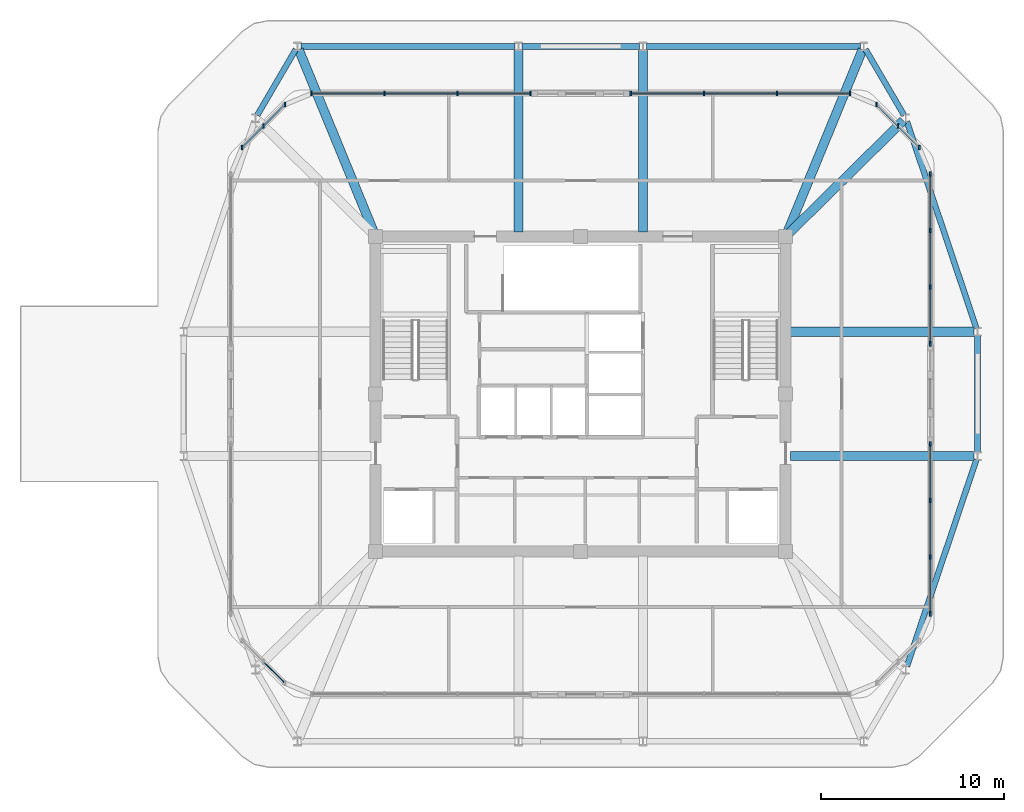
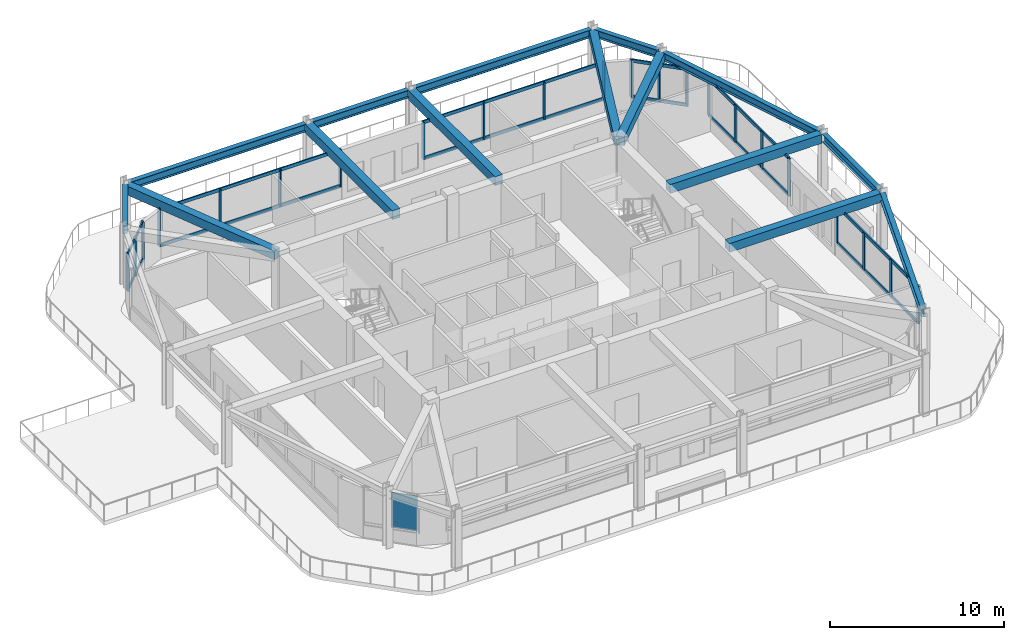
# One storey, part 3 of 10: 34 members, 15 beams, 1 plate, 7 elements without a shape of their own.
"""IFC4 building model written with IfcOpenShell, lengths in metres."""

from ifc_helpers import new_model, si_unit, derived_unit, direction, frame, origin, origin_2d, place, context, subcontext, project, spatial, rectangle, i_section, extrude, material, layer, layer_set, material_profile, profile_set, type_object, element, aggregate, save


model = new_model("IFC4")

# Units and contexts
model_context = context("Model", 3, precision=1e-05, world=origin(), true_north=direction((0.0, 1.0)))
body_context = subcontext(model_context, "Body", "Model", "MODEL_VIEW")
ifc_project = project(units=[si_unit("LENGTHUNIT", "METRE"), si_unit("AREAUNIT", "SQUARE_METRE"), si_unit("VOLUMEUNIT", "CUBIC_METRE"), si_unit("PLANEANGLEUNIT", "RADIAN"), si_unit("MASSUNIT", "GRAM", prefix="KILO"), derived_unit("THERMALTRANSMITTANCEUNIT", [(si_unit("POWERUNIT", "WATT"), 1), (si_unit("LENGTHUNIT", "METRE"), -2), (si_unit("THERMODYNAMICTEMPERATUREUNIT", "KELVIN"), -1)])], contexts=[model_context])

# Site, building, storey
site_placement = place(None, origin())
site = spatial("IfcSite", under=ifc_project, at=site_placement, CompositionType="ELEMENT")
building_placement = place(site_placement, origin())
building = spatial("IfcBuilding", under=site, at=building_placement, Name="Koralith Skygarden Medical Center", CompositionType="ELEMENT")
storey_placement = place(building_placement, frame((0.0, 0.0, 294.659912109375)))
storey = spatial("IfcBuildingStorey", under=building, at=storey_placement, Name="L76", CompositionType="ELEMENT", Elevation=294.659912109375)

# Curtain wall, members
ifc_material_1 = material(Name="Clear Laminated Glass", Category="glass")
curtain_wall_type = type_object("IfcCurtainWallType", Name="CW-8 Crown Lookout Low-Iron Curtain Wall", PredefinedType="NOTDEFINED", material=ifc_material_1)
curtain_wall_1_placement = place(storey_placement, origin())
curtain_wall_1 = element("IfcCurtainWall", 1, at=curtain_wall_1_placement, inside=storey, type_object=curtain_wall_type, Name="Curtain Wall CW-L76-E-L", PredefinedType="NOTDEFINED")
ifc_material_2 = material(Name="Aluminium 6063-T6", Category="aluminium")
ifc_material_profile_1 = material_profile(ifc_material_2, rectangle(XDim=0.089111328125, YDim=0.25, at=origin_2d()), Name="MUL89X250")
ifc_profile_set_1 = profile_set([ifc_material_profile_1], Name="Aluminium 6063-T6")
member_type_1 = type_object("IfcMemberType", Name="CW-8 Extruded Mullion 89x250", PredefinedType="MULLION", material=ifc_profile_set_1)
member_1_placement = place(storey_placement, frame((56.10009765625, 13.89306640625, 0.85009765625), z_axis=(0.0, 0.0, 1.0), x_axis=(1.0, 0.0, 0.0)))
member_1 = element("IfcMember", 2, at=member_1_placement, type_object=member_type_1, Name="CW-L76-E-L Mullion 1", PredefinedType="MULLION", context=body_context, shape_type="SweptSolid", body=[
    extrude(rectangle(XDim=0.089111328125, YDim=0.25, at=origin_2d()), origin(), (0.0, 0.0, 1.0), 2.610107421875),
])
member_2_placement = place(storey_placement, frame((56.10009765625, 16.98193359375, 0.85009765625), z_axis=(0.0, 0.0, 1.0), x_axis=(1.0, 0.0, 0.0)))
member_2 = element("IfcMember", 3, at=member_2_placement, type_object=member_type_1, Name="CW-L76-E-L Mullion 2", PredefinedType="MULLION", context=body_context, shape_type="SweptSolid", body=[
    extrude(rectangle(XDim=0.089111328125, YDim=0.25, at=origin_2d()), origin(), (0.0, 0.0, 1.0), 2.610107421875),
])
member_3_placement = place(storey_placement, frame((56.10009765625, 20.071044921875, 0.85009765625), z_axis=(0.0, 0.0, 1.0), x_axis=(1.0, 0.0, 0.0)))
member_3 = element("IfcMember", 4, at=member_3_placement, type_object=member_type_1, Name="CW-L76-E-L Mullion 3", PredefinedType="MULLION", context=body_context, shape_type="SweptSolid", body=[
    extrude(rectangle(XDim=0.089111328125, YDim=0.25, at=origin_2d()), origin(), (0.0, 0.0, 1.0), 2.610107421875),
])
member_4_placement = place(storey_placement, frame((56.10009765625, 23.159912109375, 0.85009765625), z_axis=(0.0, 0.0, 1.0), x_axis=(1.0, 0.0, 0.0)))
member_4 = element("IfcMember", 5, at=member_4_placement, type_object=member_type_1, Name="CW-L76-E-L Mullion 4", PredefinedType="MULLION", context=body_context, shape_type="SweptSolid", body=[
    extrude(rectangle(XDim=0.089111328125, YDim=0.25, at=origin_2d()), origin(), (0.0, 0.0, 1.0), 2.610107421875),
])

curtain_wall_2_placement = place(storey_placement, origin())
curtain_wall_2 = element("IfcCurtainWall", 6, at=curtain_wall_2_placement, inside=storey, type_object=curtain_wall_type, Name="Curtain Wall CW-L76-E-R", PredefinedType="NOTDEFINED")
member_5_placement = place(storey_placement, frame((56.10009765625, 28.639892578125, 0.85009765625), z_axis=(0.0, 0.0, 1.0), x_axis=(1.0, 0.0, 0.0)))
member_5 = element("IfcMember", 7, at=member_5_placement, type_object=member_type_1, Name="CW-L76-E-R Mullion 1", PredefinedType="MULLION", context=body_context, shape_type="SweptSolid", body=[
    extrude(rectangle(XDim=0.089111328125, YDim=0.25, at=origin_2d()), origin(), (0.0, 0.0, 1.0), 2.610107421875),
])
member_6_placement = place(storey_placement, frame((56.10009765625, 31.72900390625, 0.85009765625), z_axis=(0.0, 0.0, 1.0), x_axis=(1.0, 0.0, 0.0)))
member_6 = element("IfcMember", 8, at=member_6_placement, type_object=member_type_1, Name="CW-L76-E-R Mullion 2", PredefinedType="MULLION", context=body_context, shape_type="SweptSolid", body=[
    extrude(rectangle(XDim=0.089111328125, YDim=0.25, at=origin_2d()), origin(), (0.0, 0.0, 1.0), 2.610107421875),
])
member_7_placement = place(storey_placement, frame((56.10009765625, 34.818115234375, 0.85009765625), z_axis=(0.0, 0.0, 1.0), x_axis=(1.0, 0.0, 0.0)))
member_7 = element("IfcMember", 9, at=member_7_placement, type_object=member_type_1, Name="CW-L76-E-R Mullion 3", PredefinedType="MULLION", context=body_context, shape_type="SweptSolid", body=[
    extrude(rectangle(XDim=0.089111328125, YDim=0.25, at=origin_2d()), origin(), (0.0, 0.0, 1.0), 2.610107421875),
])
member_8_placement = place(storey_placement, frame((56.10009765625, 37.906982421875, 0.85009765625), z_axis=(0.0, 0.0, 1.0), x_axis=(1.0, 0.0, 0.0)))
member_8 = element("IfcMember", 10, at=member_8_placement, type_object=member_type_1, Name="CW-L76-E-R Mullion 4", PredefinedType="MULLION", context=body_context, shape_type="SweptSolid", body=[
    extrude(rectangle(XDim=0.089111328125, YDim=0.25, at=origin_2d()), origin(), (0.0, 0.0, 1.0), 2.610107421875),
])

curtain_wall_3_placement = place(storey_placement, origin())
curtain_wall_3 = element("IfcCurtainWall", 11, at=curtain_wall_3_placement, inside=storey, type_object=curtain_wall_type, Name="Curtain Wall CW-L76-NE", PredefinedType="NOTDEFINED")
member_9_placement = place(storey_placement, frame((55.4990234375, 39.35791015625, 0.85009765625), z_axis=(0.0, 0.0, 1.0), x_axis=(1.0, 0.0, 0.0)))
member_9 = element("IfcMember", 12, at=member_9_placement, type_object=member_type_1, Name="CW-L76-NE Mullion 1", PredefinedType="MULLION", context=body_context, shape_type="SweptSolid", body=[
    extrude(rectangle(XDim=0.089111328125, YDim=0.25, at=origin_2d()), origin(), (0.0, 0.0, 1.0), 2.610107421875),
])
member_10_placement = place(storey_placement, frame((54.3291015625, 40.528076171875, 0.85009765625), z_axis=(0.0, 0.0, 1.0), x_axis=(1.0, 0.0, 0.0)))
member_10 = element("IfcMember", 13, at=member_10_placement, type_object=member_type_1, Name="CW-L76-NE Mullion 2", PredefinedType="MULLION", context=body_context, shape_type="SweptSolid", body=[
    extrude(rectangle(XDim=0.089111328125, YDim=0.25, at=origin_2d()), origin(), (0.0, 0.0, 1.0), 2.610107421875),
])
member_11_placement = place(storey_placement, frame((53.157958984375, 41.698974609375, 0.85009765625), z_axis=(0.0, 0.0, 1.0), x_axis=(1.0, 0.0, 0.0)))
member_11 = element("IfcMember", 14, at=member_11_placement, type_object=member_type_1, Name="CW-L76-NE Mullion 3", PredefinedType="MULLION", context=body_context, shape_type="SweptSolid", body=[
    extrude(rectangle(XDim=0.089111328125, YDim=0.25, at=origin_2d()), origin(), (0.0, 0.0, 1.0), 2.610107421875),
])

curtain_wall_4_placement = place(storey_placement, origin())
curtain_wall_4 = element("IfcCurtainWall", 15, at=curtain_wall_4_placement, inside=storey, type_object=curtain_wall_type, Name="Curtain Wall CW-L76-N-L", PredefinedType="NOTDEFINED")
member_12_placement = place(storey_placement, frame((51.70703125, 42.300048828125, 0.85009765625), z_axis=(0.0, 0.0, 1.0), x_axis=(1.0, 0.0, 0.0)))
member_12 = element("IfcMember", 16, at=member_12_placement, type_object=member_type_1, Name="CW-L76-N-L Mullion 1", PredefinedType="MULLION", context=body_context, shape_type="SweptSolid", body=[
    extrude(rectangle(XDim=0.089111328125, YDim=0.25, at=origin_2d()), origin(), (0.0, 0.0, 1.0), 2.610107421875),
])
member_13_placement = place(storey_placement, frame((47.718017578125, 42.300048828125, 0.85009765625), z_axis=(0.0, 0.0, 1.0), x_axis=(1.0, 0.0, 0.0)))
member_13 = element("IfcMember", 17, at=member_13_placement, type_object=member_type_1, Name="CW-L76-N-L Mullion 2", PredefinedType="MULLION", context=body_context, shape_type="SweptSolid", body=[
    extrude(rectangle(XDim=0.089111328125, YDim=0.25, at=origin_2d()), origin(), (0.0, 0.0, 1.0), 2.610107421875),
])
member_14_placement = place(storey_placement, frame((43.72900390625, 42.300048828125, 0.85009765625), z_axis=(0.0, 0.0, 1.0), x_axis=(1.0, 0.0, 0.0)))
member_14 = element("IfcMember", 18, at=member_14_placement, type_object=member_type_1, Name="CW-L76-N-L Mullion 3", PredefinedType="MULLION", context=body_context, shape_type="SweptSolid", body=[
    extrude(rectangle(XDim=0.089111328125, YDim=0.25, at=origin_2d()), origin(), (0.0, 0.0, 1.0), 2.610107421875),
])
member_15_placement = place(storey_placement, frame((39.739990234375, 42.300048828125, 0.85009765625), z_axis=(0.0, 0.0, 1.0), x_axis=(1.0, 0.0, 0.0)))
member_15 = element("IfcMember", 19, at=member_15_placement, type_object=member_type_1, Name="CW-L76-N-L Mullion 4", PredefinedType="MULLION", context=body_context, shape_type="SweptSolid", body=[
    extrude(rectangle(XDim=0.089111328125, YDim=0.25, at=origin_2d()), origin(), (0.0, 0.0, 1.0), 2.610107421875),
])

curtain_wall_5_placement = place(storey_placement, origin())
curtain_wall_5 = element("IfcCurtainWall", 20, at=curtain_wall_5_placement, inside=storey, type_object=curtain_wall_type, Name="Curtain Wall CW-L76-N-R", PredefinedType="NOTDEFINED")
member_16_placement = place(storey_placement, frame((34.260009765625, 42.300048828125, 0.85009765625), z_axis=(0.0, 0.0, 1.0), x_axis=(1.0, 0.0, 0.0)))
member_16 = element("IfcMember", 21, at=member_16_placement, type_object=member_type_1, Name="CW-L76-N-R Mullion 1", PredefinedType="MULLION", context=body_context, shape_type="SweptSolid", body=[
    extrude(rectangle(XDim=0.089111328125, YDim=0.25, at=origin_2d()), origin(), (0.0, 0.0, 1.0), 2.610107421875),
])
member_17_placement = place(storey_placement, frame((30.27099609375, 42.300048828125, 0.85009765625), z_axis=(0.0, 0.0, 1.0), x_axis=(1.0, 0.0, 0.0)))
member_17 = element("IfcMember", 22, at=member_17_placement, type_object=member_type_1, Name="CW-L76-N-R Mullion 2", PredefinedType="MULLION", context=body_context, shape_type="SweptSolid", body=[
    extrude(rectangle(XDim=0.089111328125, YDim=0.25, at=origin_2d()), origin(), (0.0, 0.0, 1.0), 2.610107421875),
])
member_18_placement = place(storey_placement, frame((26.281982421875, 42.300048828125, 0.85009765625), z_axis=(0.0, 0.0, 1.0), x_axis=(1.0, 0.0, 0.0)))
member_18 = element("IfcMember", 23, at=member_18_placement, type_object=member_type_1, Name="CW-L76-N-R Mullion 3", PredefinedType="MULLION", context=body_context, shape_type="SweptSolid", body=[
    extrude(rectangle(XDim=0.089111328125, YDim=0.25, at=origin_2d()), origin(), (0.0, 0.0, 1.0), 2.610107421875),
])
member_19_placement = place(storey_placement, frame((22.29296875, 42.300048828125, 0.85009765625), z_axis=(0.0, 0.0, 1.0), x_axis=(1.0, 0.0, 0.0)))
member_19 = element("IfcMember", 24, at=member_19_placement, type_object=member_type_1, Name="CW-L76-N-R Mullion 4", PredefinedType="MULLION", context=body_context, shape_type="SweptSolid", body=[
    extrude(rectangle(XDim=0.089111328125, YDim=0.25, at=origin_2d()), origin(), (0.0, 0.0, 1.0), 2.610107421875),
])

curtain_wall_6_placement = place(storey_placement, origin())
curtain_wall_6 = element("IfcCurtainWall", 25, at=curtain_wall_6_placement, inside=storey, type_object=curtain_wall_type, Name="Curtain Wall CW-L76-NW", PredefinedType="NOTDEFINED")
member_20_placement = place(storey_placement, frame((20.842041015625, 41.698974609375, 0.85009765625), z_axis=(0.0, 0.0, 1.0), x_axis=(1.0, 0.0, 0.0)))
member_20 = element("IfcMember", 26, at=member_20_placement, type_object=member_type_1, Name="CW-L76-NW Mullion 1", PredefinedType="MULLION", context=body_context, shape_type="SweptSolid", body=[
    extrude(rectangle(XDim=0.089111328125, YDim=0.25, at=origin_2d()), origin(), (0.0, 0.0, 1.0), 2.610107421875),
])
member_21_placement = place(storey_placement, frame((19.672119140625, 40.528076171875, 0.85009765625), z_axis=(0.0, 0.0, 1.0), x_axis=(1.0, 0.0, 0.0)))
member_21 = element("IfcMember", 27, at=member_21_placement, type_object=member_type_1, Name="CW-L76-NW Mullion 2", PredefinedType="MULLION", context=body_context, shape_type="SweptSolid", body=[
    extrude(rectangle(XDim=0.089111328125, YDim=0.25, at=origin_2d()), origin(), (0.0, 0.0, 1.0), 2.610107421875),
])
member_22_placement = place(storey_placement, frame((18.5009765625, 39.35791015625, 0.85009765625), z_axis=(0.0, 0.0, 1.0), x_axis=(1.0, 0.0, 0.0)))
member_22 = element("IfcMember", 28, at=member_22_placement, type_object=member_type_1, Name="CW-L76-NW Mullion 3", PredefinedType="MULLION", context=body_context, shape_type="SweptSolid", body=[
    extrude(rectangle(XDim=0.089111328125, YDim=0.25, at=origin_2d()), origin(), (0.0, 0.0, 1.0), 2.610107421875),
])

# Member
ifc_material_profile_2 = material_profile(ifc_material_2, rectangle(XDim=0.083984375, YDim=0.22509765625, at=origin_2d()), Name="TRN84X225")
ifc_profile_set_2 = profile_set([ifc_material_profile_2], Name="Aluminium 6063-T6")
member_type_2 = type_object("IfcMemberType", Name="CW-8 Thermal Transom 84x225", PredefinedType="USERDEFINED", material=ifc_profile_set_2)
member_23_placement = place(storey_placement, frame((56.10009765625, 13.89306640625, 0.900146484375), z_axis=(0.0, 1.0, 0.0), x_axis=(-1.0, 0.0, 0.0)))
member_23 = element("IfcMember", 29, at=member_23_placement, type_object=member_type_2, Name="CW-L76-E-L Transom 1", ObjectType="TRANSOM", PredefinedType="USERDEFINED", context=body_context, shape_type="SweptSolid", body=[
    extrude(rectangle(XDim=0.083984375, YDim=0.22509765625, at=origin_2d()), origin(), (0.0, 0.0, 1.0), 9.266845703125),
])

member_24_placement = place(storey_placement, frame((56.10009765625, 13.89306640625, 3.41015625), z_axis=(0.0, 1.0, 0.0), x_axis=(-1.0, 0.0, 0.0)))
member_24 = element("IfcMember", 30, at=member_24_placement, type_object=member_type_2, Name="CW-L76-E-L Transom 2", ObjectType="TRANSOM", PredefinedType="USERDEFINED", context=body_context, shape_type="SweptSolid", body=[
    extrude(rectangle(XDim=0.083984375, YDim=0.22509765625, at=origin_2d()), origin(), (0.0, 0.0, 1.0), 9.266845703125),
])

aggregate(curtain_wall_1, [member_1, member_2, member_3, member_4, member_23, member_24])

member_25_placement = place(storey_placement, frame((56.10009765625, 28.639892578125, 0.900146484375), z_axis=(0.0, 1.0, 0.0), x_axis=(-1.0, 0.0, 0.0)))
member_25 = element("IfcMember", 31, at=member_25_placement, type_object=member_type_2, Name="CW-L76-E-R Transom 1", ObjectType="TRANSOM", PredefinedType="USERDEFINED", context=body_context, shape_type="SweptSolid", body=[
    extrude(rectangle(XDim=0.083984375, YDim=0.22509765625, at=origin_2d()), origin(), (0.0, 0.0, 1.0), 9.26708984375),
])

member_26_placement = place(storey_placement, frame((56.10009765625, 28.639892578125, 3.41015625), z_axis=(0.0, 1.0, 0.0), x_axis=(-1.0, 0.0, 0.0)))
member_26 = element("IfcMember", 32, at=member_26_placement, type_object=member_type_2, Name="CW-L76-E-R Transom 2", ObjectType="TRANSOM", PredefinedType="USERDEFINED", context=body_context, shape_type="SweptSolid", body=[
    extrude(rectangle(XDim=0.083984375, YDim=0.22509765625, at=origin_2d()), origin(), (0.0, 0.0, 1.0), 9.26708984375),
])

aggregate(curtain_wall_2, [member_5, member_6, member_7, member_8, member_25, member_26])

member_27_placement = place(storey_placement, frame((55.4990234375, 39.35791015625, 0.900146484375), z_axis=(-0.707106781187, 0.707106781187, 0.0), x_axis=(-0.707106781187, -0.707106781187, 0.0)))
member_27 = element("IfcMember", 33, at=member_27_placement, type_object=member_type_2, Name="CW-L76-NE Transom 1", ObjectType="TRANSOM", PredefinedType="USERDEFINED", context=body_context, shape_type="SweptSolid", body=[
    extrude(rectangle(XDim=0.083984375, YDim=0.22509765625, at=origin_2d()), origin(), (0.0, 0.0, 1.0), 3.310791015625),
])

member_28_placement = place(storey_placement, frame((55.4990234375, 39.35791015625, 3.41015625), z_axis=(-0.707106781187, 0.707106781187, 0.0), x_axis=(-0.707106781187, -0.707106781187, 0.0)))
member_28 = element("IfcMember", 34, at=member_28_placement, type_object=member_type_2, Name="CW-L76-NE Transom 2", ObjectType="TRANSOM", PredefinedType="USERDEFINED", context=body_context, shape_type="SweptSolid", body=[
    extrude(rectangle(XDim=0.083984375, YDim=0.22509765625, at=origin_2d()), origin(), (0.0, 0.0, 1.0), 3.310791015625),
])

aggregate(curtain_wall_3, [member_9, member_10, member_11, member_27, member_28])

member_29_placement = place(storey_placement, frame((51.70703125, 42.300048828125, 0.900146484375), z_axis=(-1.0, 0.0, 0.0), x_axis=(0.0, -1.0, 0.0)))
member_29 = element("IfcMember", 35, at=member_29_placement, type_object=member_type_2, Name="CW-L76-N-L Transom 1", ObjectType="TRANSOM", PredefinedType="USERDEFINED", context=body_context, shape_type="SweptSolid", body=[
    extrude(rectangle(XDim=0.083984375, YDim=0.22509765625, at=origin_2d()), origin(), (0.0, 0.0, 1.0), 11.967041015625),
])

member_30_placement = place(storey_placement, frame((51.70703125, 42.300048828125, 3.41015625), z_axis=(-1.0, 0.0, 0.0), x_axis=(0.0, -1.0, 0.0)))
member_30 = element("IfcMember", 36, at=member_30_placement, type_object=member_type_2, Name="CW-L76-N-L Transom 2", ObjectType="TRANSOM", PredefinedType="USERDEFINED", context=body_context, shape_type="SweptSolid", body=[
    extrude(rectangle(XDim=0.083984375, YDim=0.22509765625, at=origin_2d()), origin(), (0.0, 0.0, 1.0), 11.967041015625),
])

aggregate(curtain_wall_4, [member_12, member_13, member_14, member_15, member_29, member_30])

member_31_placement = place(storey_placement, frame((34.260009765625, 42.300048828125, 0.900146484375), z_axis=(-1.0, 0.0, 0.0), x_axis=(0.0, -1.0, 0.0)))
member_31 = element("IfcMember", 37, at=member_31_placement, type_object=member_type_2, Name="CW-L76-N-R Transom 1", ObjectType="TRANSOM", PredefinedType="USERDEFINED", context=body_context, shape_type="SweptSolid", body=[
    extrude(rectangle(XDim=0.083984375, YDim=0.22509765625, at=origin_2d()), origin(), (0.0, 0.0, 1.0), 11.967041015625),
])

member_32_placement = place(storey_placement, frame((34.260009765625, 42.300048828125, 3.41015625), z_axis=(-1.0, 0.0, 0.0), x_axis=(0.0, -1.0, 0.0)))
member_32 = element("IfcMember", 38, at=member_32_placement, type_object=member_type_2, Name="CW-L76-N-R Transom 2", ObjectType="TRANSOM", PredefinedType="USERDEFINED", context=body_context, shape_type="SweptSolid", body=[
    extrude(rectangle(XDim=0.083984375, YDim=0.22509765625, at=origin_2d()), origin(), (0.0, 0.0, 1.0), 11.967041015625),
])

aggregate(curtain_wall_5, [member_16, member_17, member_18, member_19, member_31, member_32])

member_33_placement = place(storey_placement, frame((20.842041015625, 41.698974609375, 0.900146484375), z_axis=(-0.707106781187, -0.707106781187, 0.0), x_axis=(0.707106781187, -0.707106781187, 0.0)))
member_33 = element("IfcMember", 39, at=member_33_placement, type_object=member_type_2, Name="CW-L76-NW Transom 1", ObjectType="TRANSOM", PredefinedType="USERDEFINED", context=body_context, shape_type="SweptSolid", body=[
    extrude(rectangle(XDim=0.083984375, YDim=0.22509765625, at=origin_2d()), origin(), (0.0, 0.0, 1.0), 3.310791015625),
])

member_34_placement = place(storey_placement, frame((20.842041015625, 41.698974609375, 3.41015625), z_axis=(-0.707106781187, -0.707106781187, 0.0), x_axis=(0.707106781187, -0.707106781187, 0.0)))
member_34 = element("IfcMember", 40, at=member_34_placement, type_object=member_type_2, Name="CW-L76-NW Transom 2", ObjectType="TRANSOM", PredefinedType="USERDEFINED", context=body_context, shape_type="SweptSolid", body=[
    extrude(rectangle(XDim=0.083984375, YDim=0.22509765625, at=origin_2d()), origin(), (0.0, 0.0, 1.0), 3.310791015625),
])

aggregate(curtain_wall_6, [member_20, member_21, member_22, member_33, member_34])

# Beams
ifc_material_3 = material(Name="Steel ASTM A992 Grade 50", Category="steel")
ifc_material_profile_3 = material_profile(ifc_material_3, i_section(OverallWidth=0.31201171875, OverallDepth=0.54296875, WebThickness=0.0126953125, FlangeThickness=0.020263671875, at=origin_2d()), Name="W21X101")
ifc_profile_set_3 = profile_set([ifc_material_profile_3], Name="Steel ASTM A992 Grade 50")
beam_type_1 = type_object("IfcBeamType", Name="Canopy Ring Beam W21X101", PredefinedType="SPANDREL", material=ifc_profile_set_3)
beam_1_placement = place(storey_placement, frame((54.819091796875, 11.014892578125, 3.7490234375), z_axis=(0.318639095106, 0.947876113778, 0.0), x_axis=(-0.947876113778, 0.318639095106, 0.0)))
element("IfcBeam", 41, at=beam_1_placement, inside=storey, type_object=beam_type_1, Name="L76 Perimeter Spandrel Beam SP-07", PredefinedType="SPANDREL", context=body_context, shape_type="SweptSolid", body=[
    extrude(i_section(OverallWidth=0.31201171875, OverallDepth=0.54296875, WebThickness=0.0126953125, FlangeThickness=0.020263671875, at=origin_2d()), origin(), (0.0, 0.0, 1.0), 11.931884765625),
])
beam_2_placement = place(storey_placement, frame((58.679931640625, 22.68505859375, 3.7490234375), z_axis=(0.0, 1.0, 0.0), x_axis=(-1.0, 0.0, 0.0)))
element("IfcBeam", 42, at=beam_2_placement, inside=storey, type_object=beam_type_1, Name="L76 Perimeter Spandrel Beam SP-08", PredefinedType="SPANDREL", context=body_context, shape_type="SweptSolid", body=[
    extrude(i_section(OverallWidth=0.31201171875, OverallDepth=0.54296875, WebThickness=0.0126953125, FlangeThickness=0.020263671875, at=origin_2d()), origin(), (0.0, 0.0, 1.0), 6.429931640625),
])
beam_3_placement = place(storey_placement, frame((58.62109375, 29.47509765625, 3.7490234375), z_axis=(-0.318645275061, 0.947874036294, 0.0), x_axis=(-0.947874036294, -0.318645275061, 0.0)))
element("IfcBeam", 43, at=beam_3_placement, inside=storey, type_object=beam_type_1, Name="L76 Perimeter Spandrel Beam SP-09", PredefinedType="SPANDREL", context=body_context, shape_type="SweptSolid", body=[
    extrude(i_section(OverallWidth=0.31201171875, OverallDepth=0.54296875, WebThickness=0.0126953125, FlangeThickness=0.020263671875, at=origin_2d()), origin(), (0.0, 0.0, 1.0), 11.931884765625),
])
beam_4_placement = place(storey_placement, frame((54.6669921875, 41.1201171875, 3.7490234375), z_axis=(-0.504951618525, 0.863147648406, 0.0), x_axis=(-0.863147648406, -0.504951618525, 0.0)))
element("IfcBeam", 44, at=beam_4_placement, inside=storey, type_object=beam_type_1, Name="L76 Perimeter Spandrel Beam SP-10", PredefinedType="SPANDREL", context=body_context, shape_type="SweptSolid", body=[
    extrude(i_section(OverallWidth=0.31201171875, OverallDepth=0.54296875, WebThickness=0.0126953125, FlangeThickness=0.020263671875, at=origin_2d()), origin(), (0.0, 0.0, 1.0), 4.170654296875),
])
beam_5_placement = place(storey_placement, frame((52.282958984375, 44.8798828125, 3.7490234375), z_axis=(-1.0, 0.0, 0.0), x_axis=(0.0, -1.0, 0.0)))
element("IfcBeam", 45, at=beam_5_placement, inside=storey, type_object=beam_type_1, Name="L76 Perimeter Spandrel Beam SP-11", PredefinedType="SPANDREL", context=body_context, shape_type="SweptSolid", body=[
    extrude(i_section(OverallWidth=0.31201171875, OverallDepth=0.54296875, WebThickness=0.0126953125, FlangeThickness=0.020263671875, at=origin_2d()), origin(), (0.0, 0.0, 1.0), 11.697998046875),
])
beam_6_placement = place(storey_placement, frame((40.215087890625, 44.8798828125, 3.7490234375), z_axis=(-1.0, 0.0, 0.0), x_axis=(0.0, -1.0, 0.0)))
element("IfcBeam", 46, at=beam_6_placement, inside=storey, type_object=beam_type_1, Name="L76 Perimeter Spandrel Beam SP-12", PredefinedType="SPANDREL", context=body_context, shape_type="SweptSolid", body=[
    extrude(i_section(OverallWidth=0.31201171875, OverallDepth=0.54296875, WebThickness=0.0126953125, FlangeThickness=0.020263671875, at=origin_2d()), origin(), (0.0, 0.0, 1.0), 6.43017578125),
])
beam_7_placement = place(storey_placement, frame((33.4150390625, 44.8798828125, 3.7490234375), z_axis=(-1.0, 0.0, 0.0), x_axis=(0.0, -1.0, 0.0)))
element("IfcBeam", 47, at=beam_7_placement, inside=storey, type_object=beam_type_1, Name="L76 Perimeter Spandrel Beam SP-13", PredefinedType="SPANDREL", context=body_context, shape_type="SweptSolid", body=[
    extrude(i_section(OverallWidth=0.31201171875, OverallDepth=0.54296875, WebThickness=0.0126953125, FlangeThickness=0.020263671875, at=origin_2d()), origin(), (0.0, 0.0, 1.0), 11.697998046875),
])
beam_8_placement = place(storey_placement, frame((21.43896484375, 44.719970703125, 3.7490234375), z_axis=(-0.504951618525, -0.863147648406, 0.0), x_axis=(0.863147648406, -0.504951618525, 0.0)))
element("IfcBeam", 48, at=beam_8_placement, inside=storey, type_object=beam_type_1, Name="L76 Perimeter Spandrel Beam SP-14", PredefinedType="SPANDREL", context=body_context, shape_type="SweptSolid", body=[
    extrude(i_section(OverallWidth=0.31201171875, OverallDepth=0.54296875, WebThickness=0.0126953125, FlangeThickness=0.020263671875, at=origin_2d()), origin(), (0.0, 0.0, 1.0), 4.170654296875),
])
ifc_material_4 = material(Name="Concrete C45/55", Category="concrete")
ifc_material_profile_4 = material_profile(ifc_material_4, rectangle(XDim=0.5, YDim=0.6201171875, at=origin_2d()), Name="RCB500X620")
ifc_profile_set_4 = profile_set([ifc_material_profile_4], Name="Concrete C45/55")
beam_type_2 = type_object("IfcBeamType", Name="Upper Radial Collector Beam RCB500X620", PredefinedType="BEAM", material=ifc_profile_set_4)
for number, where, z_axis, x_axis, name in (
    (49, (48.449951171875, 22.5, 3.710205078125), (1.0, 0.0, 0.0), (0.0, 1.0, 0.0), "L76 Radial Collector Beam RB-08"),
    (50, (48.449951171875, 29.300048828125, 3.710205078125), (1.0, 0.0, 0.0), (0.0, 1.0, 0.0), "L76 Radial Collector Beam RB-09"),
):
    element("IfcBeam", number, at=place(storey_placement, frame(where, z_axis=z_axis, x_axis=x_axis)), inside=storey, type_object=beam_type_2, Name=name, PredefinedType="BEAM", context=body_context, shape_type="SweptSolid", body=[
        extrude(rectangle(XDim=0.5, YDim=0.6201171875, at=origin_2d()), origin(), (0.0, 0.0, 1.0), 10.045166015625),
    ])
beam_9_placement = place(storey_placement, frame((48.3779296875, 34.675048828125, 3.710205078125), z_axis=(0.712499385168, 0.701672734354, 0.0), x_axis=(-0.701672734354, 0.712499385168, 0.0)))
element("IfcBeam", 51, at=beam_9_placement, inside=storey, type_object=beam_type_2, Name="L76 Radial Collector Beam RB-10", PredefinedType="BEAM", context=body_context, shape_type="SweptSolid", body=[
    extrude(rectangle(XDim=0.5, YDim=0.6201171875, at=origin_2d()), origin(), (0.0, 0.0, 1.0), 8.77197265625),
])
beam_10_placement = place(storey_placement, frame((48.294921875, 34.73095703125, 3.710205078125), z_axis=(0.380308155568, 0.924859830898, 0.0), x_axis=(-0.924859830898, 0.380308155568, 0.0)))
element("IfcBeam", 52, at=beam_10_placement, inside=storey, type_object=beam_type_2, Name="L76 Radial Collector Beam RB-11", PredefinedType="BEAM", context=body_context, shape_type="SweptSolid", body=[
    extrude(rectangle(XDim=0.5, YDim=0.6201171875, at=origin_2d()), origin(), (0.0, 0.0, 1.0), 10.78857421875),
])
for number, where, z_axis, x_axis, name in (
    (53, (40.39990234375, 34.75, 3.710205078125), (0.0, 1.0, 0.0), (-1.0, 0.0, 0.0), "L76 Radial Collector Beam RB-12"),
    (54, (33.60009765625, 34.75, 3.710205078125), (0.0, 1.0, 0.0), (-1.0, 0.0, 0.0), "L76 Radial Collector Beam RB-13"),
):
    element("IfcBeam", number, at=place(storey_placement, frame(where, z_axis=z_axis, x_axis=x_axis)), inside=storey, type_object=beam_type_2, Name=name, PredefinedType="BEAM", context=body_context, shape_type="SweptSolid", body=[
        extrude(rectangle(XDim=0.5, YDim=0.6201171875, at=origin_2d()), origin(), (0.0, 0.0, 1.0), 9.945068359375),
    ])
beam_11_placement = place(storey_placement, frame((25.705078125, 34.73095703125, 3.710205078125), z_axis=(-0.380308155568, 0.924859830898, 0.0), x_axis=(-0.924859830898, -0.380308155568, 0.0)))
element("IfcBeam", 55, at=beam_11_placement, inside=storey, type_object=beam_type_2, Name="L76 Radial Collector Beam RB-14", PredefinedType="BEAM", context=body_context, shape_type="SweptSolid", body=[
    extrude(rectangle(XDim=0.5, YDim=0.6201171875, at=origin_2d()), origin(), (0.0, 0.0, 1.0), 10.78857421875),
])

# Curtain wall, plate
curtain_wall_7_placement = place(storey_placement, origin())
curtain_wall_7 = element("IfcCurtainWall", 56, at=curtain_wall_7_placement, inside=storey, type_object=curtain_wall_type, Name="Curtain Wall CW-L76-SW", PredefinedType="NOTDEFINED")
ifc_layer = layer(ifc_material_1, 0.0439453125)
ifc_layer_set = layer_set([ifc_layer], Name="Clear Laminated Glass")
plate_type = type_object("IfcPlateType", Name="CW-8 Hurricane Laminated IGU Panel 44", PredefinedType="CURTAIN_PANEL", material=ifc_layer_set)
plate_placement = place(storey_placement, frame((20.257080078125, 10.68603515625, 0.919921875), z_axis=(0.0, 0.0, 1.0), x_axis=(0.707106781187, -0.707106781187, 0.0)))
plate = element("IfcPlate", 57, at=plate_placement, type_object=plate_type, Name="CW-L76-SW Glazed Panel 2", PredefinedType="CURTAIN_PANEL", context=body_context, shape_type="SweptSolid", body=[
    extrude(rectangle(XDim=1.56494140625, YDim=0.0439453125, at=origin_2d()), origin(), (0.0, 0.0, 1.0), 2.469970703125),
])
aggregate(curtain_wall_7, [plate])

save(model, "model.ifc")
